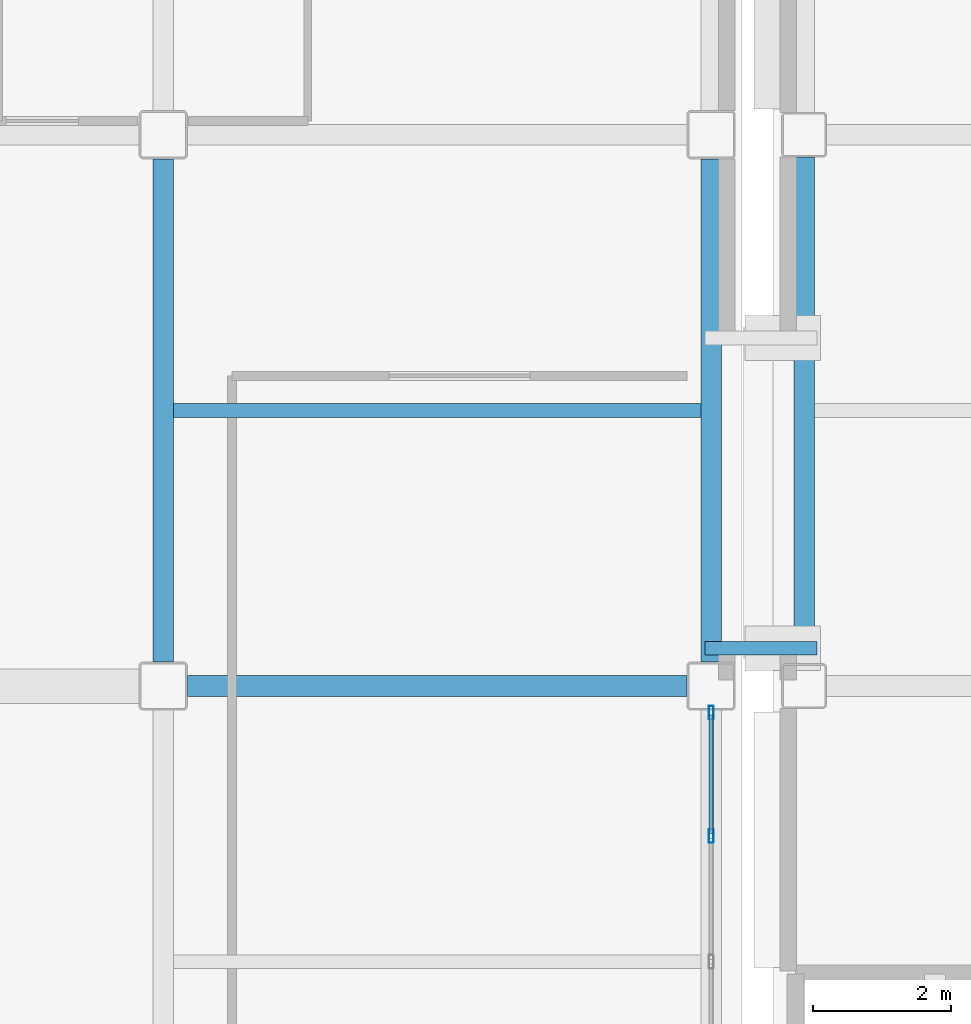
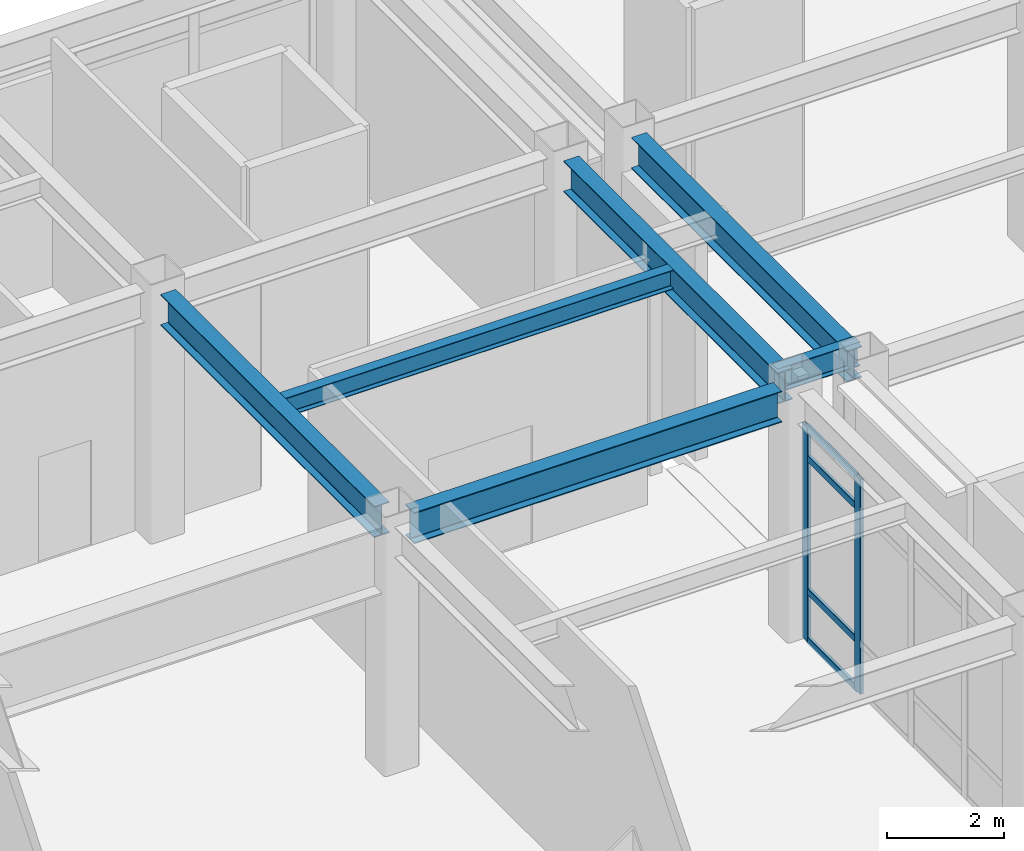
# One storey, part 19 of 165: 6 beams, 6 members, 1 element without a shape of its own.
"""IFC4 building model written with IfcOpenShell, lengths in metres."""

import ifcopenshell
import ifcopenshell.guid

model = None  # the IFC model being written
_history = None  # IfcOwnerHistory: only IFC2X3 demands one
_inside = {}  # id of a spatial element -> (the spatial element, [elements in it])
_under = {}  # id of a project, library or spatial element -> (it, [spatial elements below it])
_declared = {}  # id of a project -> (the project, [libraries it declares])
_typed = {}  # id of a type object -> (the type object, [elements of that type])
_made_of = {}  # id of a material, layer set ... -> (it, [elements and type objects made of it])


def new_model(schema):
    """Start an empty IFC model of exactly this schema.

    Asked for "IFC4X3", IfcOpenShell would pick the latest addendum, in which some entities
    have other attributes; the version numbers below select the first issue.
    IFC2X3 requires an IfcOwnerHistory on every rooted entity: one is made here for all.
    """
    global model, _history
    if schema == "IFC4X3":
        model = ifcopenshell.file(schema_version=(4, 3, 0, 0))
    else:
        model = ifcopenshell.file(schema=schema)
    _inside.clear()
    _under.clear()
    _declared.clear()
    _typed.clear()
    _made_of.clear()
    _history = None
    if model.schema == "IFC2X3":
        org = make("IfcOrganization", Name="unknown")
        user = make(
            "IfcPersonAndOrganization",
            ThePerson=make("IfcPerson", FamilyName="unknown"),
            TheOrganization=org,
        )
        app = make(
            "IfcApplication",
            ApplicationDeveloper=org,
            Version="unknown",
            ApplicationFullName="unknown",
            ApplicationIdentifier="unknown",
        )
        _history = make(
            "IfcOwnerHistory",
            OwningUser=user,
            OwningApplication=app,
            ChangeAction="ADDED",
            CreationDate=0,
        )
    return model


def make(cls, **values):
    """One entity of the class cls with the attributes given. An attribute that is None is left unset."""
    return model.create_entity(
        cls, **{name: value for name, value in values.items() if value is not None}
    )


def rooted(cls, **values):
    """An entity with a GlobalId (a new one), such as an element, a storey or a relation."""
    return make(cls, GlobalId=ifcopenshell.guid.new(), OwnerHistory=_history, **values)


def si_unit(unit_type, name, prefix=None):
    """IfcSIUnit, for example si_unit("LENGTHUNIT", "METRE", prefix="MILLI")."""
    return make("IfcSIUnit", UnitType=unit_type, Prefix=prefix, Name=name)


def assignment(units):
    """IfcUnitAssignment: the units of a project."""
    return None if units is None else make("IfcUnitAssignment", Units=units)


def point(xyz):
    """IfcCartesianPoint."""
    return None if xyz is None else make("IfcCartesianPoint", Coordinates=xyz)


def direction(xyz):
    """IfcDirection."""
    return None if xyz is None else make("IfcDirection", DirectionRatios=xyz)


def frame(location, z_axis=None, x_axis=None):
    """IfcAxis2Placement3D, a coordinate frame: its origin and axes. An axis left out is left unset."""
    return make(
        "IfcAxis2Placement3D",
        Location=point(location),
        Axis=direction(z_axis),
        RefDirection=direction(x_axis),
    )


def frame_2d(location, x_axis=None):
    """IfcAxis2Placement2D, a coordinate frame in the plane: its origin and x axis."""
    return make(
        "IfcAxis2Placement2D", Location=point(location), RefDirection=direction(x_axis)
    )


def origin():
    """The frame at (0, 0, 0) with its axes left unset."""
    return frame((0.0, 0.0, 0.0))


def origin_2d():
    """The frame at (0, 0) in the plane with its x axis left unset."""
    return frame_2d((0.0, 0.0))


def place(relative_to, where):
    """IfcLocalPlacement: puts the frame where relative to a parent placement (None: the world)."""
    return make(
        "IfcLocalPlacement", PlacementRelTo=relative_to, RelativePlacement=where
    )


def context(
    kind, dimensions, precision=None, world=None, true_north=None, identifier=None
):
    """IfcGeometricRepresentationContext, for example the 3D "Model" context."""
    return make(
        "IfcGeometricRepresentationContext",
        ContextIdentifier=identifier,
        ContextType=kind,
        CoordinateSpaceDimension=dimensions,
        Precision=precision,
        WorldCoordinateSystem=world,
        TrueNorth=true_north,
    )


def subcontext(parent, identifier, kind, view, scale=None):
    """IfcGeometricRepresentationSubContext, for example "Body" below "Model"."""
    return make(
        "IfcGeometricRepresentationSubContext",
        ContextIdentifier=identifier,
        ContextType=kind,
        ParentContext=parent,
        TargetScale=scale,
        TargetView=view,
    )


def project(units=None, contexts=None):
    """IfcProject with its units and contexts."""
    return rooted(
        "IfcProject",
        Name="project",
        RepresentationContexts=contexts,
        UnitsInContext=assignment(units),
    )


def spatial(cls, under=None, at=None, **own):
    """A site, building, storey or space (cls), placed at a placement, below another one or the project."""
    s = rooted(cls, ObjectPlacement=at, **own)
    if under is not None:
        _under.setdefault(under.id(), (under, []))[1].append(s)
    return s


def profile(cls, at=None, kind="AREA", **sizes):
    """A parametric profile (cls). Its sizes go by their IFC names, for example OverallWidth=200.0."""
    return make(cls, ProfileType=kind, Position=at, **sizes)


def hollow_rectangle(**sizes):
    """IfcRectangleHollowProfileDef."""
    return profile("IfcRectangleHollowProfileDef", **sizes)


def i_section(**sizes):
    """IfcIShapeProfileDef."""
    return profile("IfcIShapeProfileDef", **sizes)


def extrude(swept, where, along, depth):
    """IfcExtrudedAreaSolid: the profile swept, set in the frame where, extruded along a direction by depth."""
    return make(
        "IfcExtrudedAreaSolid",
        SweptArea=swept,
        Position=where,
        ExtrudedDirection=direction(along),
        Depth=depth,
    )


def shape(context_of_items, identifier, shape_type, items):
    """IfcShapeRepresentation: the items that make up one representation, for example the "Body"."""
    return make(
        "IfcShapeRepresentation",
        ContextOfItems=context_of_items,
        RepresentationIdentifier=identifier,
        RepresentationType=shape_type,
        Items=items,
    )


def material(Name=None, Category=None):
    """IfcMaterial."""
    return make("IfcMaterial", Name=Name, Category=Category)


def layer(
    of_material, thickness, ventilated=None, Name=None, Category=None, Priority=None
):
    """IfcMaterialLayer: one layer of a wall or slab, of a material (None: an air gap)."""
    return make(
        "IfcMaterialLayer",
        Material=of_material,
        LayerThickness=thickness,
        IsVentilated=ventilated,
        Name=Name,
        Category=Category,
        Priority=Priority,
    )


def layer_set(layers, Name=None):
    """IfcMaterialLayerSet."""
    return make("IfcMaterialLayerSet", MaterialLayers=layers, LayerSetName=Name)


def material_profile(
    of_material, cross_section, Name=None, Category=None, Priority=None
):
    """IfcMaterialProfile: a cross section and its material."""
    return make(
        "IfcMaterialProfile",
        Name=Name,
        Material=of_material,
        Profile=cross_section,
        Priority=Priority,
        Category=Category,
    )


def profile_set(profiles, Name=None, composite=None):
    """IfcMaterialProfileSet."""
    return make(
        "IfcMaterialProfileSet",
        Name=Name,
        MaterialProfiles=profiles,
        CompositeProfile=composite,
    )


def made_of(thing, what):
    """Note that an element or type object is made of a material, layer set ...; save() writes the relation."""
    if what is not None:
        _made_of.setdefault(what.id(), (what, []))[1].append(thing)
    return thing


def type_object(cls, material=None, **own):
    """A type object (cls), such as IfcWallType, which elements share."""
    return made_of(rooted(cls, **own), material)


def element(
    cls,
    number,
    at=None,
    inside=None,
    cuts=None,
    type_object=None,
    material=None,
    context=None,
    identifier="Body",
    shape_type=None,
    held_by="IfcProductDefinitionShape",
    body=None,
    shapes=None,
    **own,
):
    """One element of the class cls, such as IfcWall. Its Tag is "e" and its number.

    at: its placement. inside: the storey or other place that contains it. cuts: it is an
    opening in that element (IfcRelVoidsElement). A single representation is given by context,
    identifier, shape_type and body (its items); several are given by shapes. held_by: the class
    of the entity that holds the representations. save() writes the other relations.
    """
    e = rooted(cls, Tag="e%d" % number, ObjectPlacement=at, **own)
    if body is not None:
        shapes = [shape(context, identifier, shape_type, body)]
    if shapes is not None:
        e.Representation = make(held_by, Representations=shapes)
    if inside is not None:
        _inside.setdefault(inside.id(), (inside, []))[1].append(e)
    if cuts is not None:
        rooted(
            "IfcRelVoidsElement", RelatingBuildingElement=cuts, RelatedOpeningElement=e
        )
    if type_object is not None:
        _typed.setdefault(type_object.id(), (type_object, []))[1].append(e)
    return made_of(e, material)


def aggregate(whole, parts):
    """IfcRelAggregates: a whole, such as a stair, and the parts it consists of."""
    return rooted("IfcRelAggregates", RelatingObject=whole, RelatedObjects=parts)


def save(model, path):
    """Write the relations noted so far, then the file.

    IfcRelAggregates (storeys below a building ...), IfcRelContainedInSpatialStructure (elements
    in a storey), IfcRelDefinesByType, IfcRelAssociatesMaterial and IfcRelDeclares: one each for
    every whole, place, type object, material and project.
    """
    for whole, parts in _under.values():
        aggregate(whole, parts)
    for where, things in _inside.values():
        rooted(
            "IfcRelContainedInSpatialStructure",
            RelatedElements=things,
            RelatingStructure=where,
        )
    for kind, things in _typed.values():
        rooted("IfcRelDefinesByType", RelatedObjects=things, RelatingType=kind)
    for what, things in _made_of.values():
        rooted("IfcRelAssociatesMaterial", RelatedObjects=things, RelatingMaterial=what)
    for by, libraries in _declared.values():
        rooted("IfcRelDeclares", RelatingContext=by, RelatedDefinitions=libraries)
    model.write(path)


model = new_model("IFC4")

# Units and contexts
model_context = context("Model", 3, precision=1e-05, world=origin(), true_north=direction((0.0, 1.0)))
body_context = subcontext(model_context, "Body", "Model", "MODEL_VIEW")
ifc_project = project(units=[si_unit("LENGTHUNIT", "METRE"), si_unit("AREAUNIT", "SQUARE_METRE"), si_unit("VOLUMEUNIT", "CUBIC_METRE"), si_unit("PLANEANGLEUNIT", "RADIAN"), si_unit("MASSUNIT", "GRAM", prefix="KILO")], contexts=[model_context])

# Site, building, storey
site_placement = place(None, origin())
site = spatial("IfcSite", under=ifc_project, at=site_placement, CompositionType="ELEMENT")
building_placement = place(site_placement, origin())
building = spatial("IfcBuilding", under=site, at=building_placement, Name="Kazehara Bluff Congress Hotel", CompositionType="ELEMENT")
storey_placement = place(building_placement, origin())
storey = spatial("IfcBuildingStorey", under=building, at=storey_placement, Name="L00", CompositionType="ELEMENT", Elevation=0.0)

# Curtain wall, members
ifc_material_1 = material(Name="Anodised aluminium", Category="aluminium")
ifc_layer = layer(ifc_material_1, 0.159912109375)
ifc_layer_set = layer_set([ifc_layer], Name="Anodised aluminium")
curtain_wall_type = type_object("IfcCurtainWallType", Name="TP-CW-32", PredefinedType="NOTDEFINED", material=ifc_layer_set)
curtain_wall_placement = place(storey_placement, origin())
curtain_wall = element("IfcCurtainWall", 1, at=curtain_wall_placement, inside=storey, type_object=curtain_wall_type, Name="L00 curtain wall CW-32 CW-V2-L00-X5835-1635", PredefinedType="NOTDEFINED")
ifc_material_2 = material(Name="Anodised aluminium", Category="aluminium")
ifc_material_profile_1 = material_profile(ifc_material_2, hollow_rectangle(XDim=0.070068359375, YDim=0.199951171875, WallThickness=0.0048828125, InnerFilletRadius=0.0048828125, OuterFilletRadius=0.010009765625, at=origin_2d()))
ifc_profile_set_1 = profile_set([ifc_material_profile_1], Name="Anodised aluminium")
member_type_1 = type_object("IfcMemberType", Name="TP-CWM-03", PredefinedType="MULLION", material=ifc_profile_set_1)
member_1_placement = place(storey_placement, frame((58.35009765625, 21.824951171875, 0.0), z_axis=(0.0, 0.0, 1.0), x_axis=(-1.0, 0.0, 0.0)))
member_1 = element("IfcMember", 2, at=member_1_placement, type_object=member_type_1, Name="CW-32 mullion 4", PredefinedType="MULLION", context=body_context, shape_type="SweptSolid", body=[
    extrude(hollow_rectangle(XDim=0.070068359375, YDim=0.199951171875, WallThickness=0.0048828125, InnerFilletRadius=0.0048828125, OuterFilletRadius=0.010009765625, at=origin_2d()), origin(), (0.0, 0.0, 1.0), 4.47509765625),
])
member_2_placement = place(storey_placement, frame((58.35009765625, 23.614990234375, 0.0), z_axis=(0.0, 0.0, 1.0), x_axis=(-1.0, 0.0, 0.0)))
member_2 = element("IfcMember", 3, at=member_2_placement, type_object=member_type_1, Name="CW-32 mullion 5", PredefinedType="MULLION", context=body_context, shape_type="SweptSolid", body=[
    extrude(hollow_rectangle(XDim=0.070068359375, YDim=0.199951171875, WallThickness=0.0048828125, InnerFilletRadius=0.0048828125, OuterFilletRadius=0.010009765625, at=origin_2d()), origin(), (0.0, 0.0, 1.0), 4.47509765625),
])
ifc_material_3 = material(Name="Anodised aluminium", Category="aluminium")
ifc_material_profile_2 = material_profile(ifc_material_3, hollow_rectangle(XDim=0.06494140625, YDim=0.139892578125, WallThickness=0.00390625, InnerFilletRadius=0.00390625, OuterFilletRadius=0.008056640625, at=origin_2d()))
ifc_profile_set_2 = profile_set([ifc_material_profile_2], Name="Anodised aluminium")
member_type_2 = type_object("IfcMemberType", Name="TP-CWT-02", PredefinedType="USERDEFINED", material=ifc_profile_set_2)
member_3_placement = place(storey_placement, frame((58.35009765625, 21.860107421875, 0.032470703125), z_axis=(0.0, 1.0, 0.0), x_axis=(-1.0, 0.0, 0.0)))
member_3 = element("IfcMember", 4, at=member_3_placement, type_object=member_type_2, Name="CW-32 transom 4.1", ObjectType="TRANSOM", PredefinedType="USERDEFINED", context=body_context, shape_type="SweptSolid", body=[
    extrude(hollow_rectangle(XDim=0.06494140625, YDim=0.139892578125, WallThickness=0.00390625, InnerFilletRadius=0.00390625, OuterFilletRadius=0.008056640625, at=origin_2d()), origin(), (0.0, 0.0, 1.0), 1.719970703125),
])
member_4_placement = place(storey_placement, frame((58.35009765625, 21.860107421875, 1.050048828125), z_axis=(0.0, 1.0, 0.0), x_axis=(-1.0, 0.0, 0.0)))
member_4 = element("IfcMember", 5, at=member_4_placement, type_object=member_type_2, Name="CW-32 transom 4.2", ObjectType="TRANSOM", PredefinedType="USERDEFINED", context=body_context, shape_type="SweptSolid", body=[
    extrude(hollow_rectangle(XDim=0.06494140625, YDim=0.139892578125, WallThickness=0.00390625, InnerFilletRadius=0.00390625, OuterFilletRadius=0.008056640625, at=origin_2d()), origin(), (0.0, 0.0, 1.0), 1.719970703125),
])
member_5_placement = place(storey_placement, frame((58.35009765625, 21.860107421875, 3.824951171875), z_axis=(0.0, 1.0, 0.0), x_axis=(-1.0, 0.0, 0.0)))
member_5 = element("IfcMember", 6, at=member_5_placement, type_object=member_type_2, Name="CW-32 transom 4.3", ObjectType="TRANSOM", PredefinedType="USERDEFINED", context=body_context, shape_type="SweptSolid", body=[
    extrude(hollow_rectangle(XDim=0.06494140625, YDim=0.139892578125, WallThickness=0.00390625, InnerFilletRadius=0.00390625, OuterFilletRadius=0.008056640625, at=origin_2d()), origin(), (0.0, 0.0, 1.0), 1.719970703125),
])
member_6_placement = place(storey_placement, frame((58.35009765625, 21.860107421875, 4.4423828125), z_axis=(0.0, 1.0, 0.0), x_axis=(-1.0, 0.0, 0.0)))
member_6 = element("IfcMember", 7, at=member_6_placement, type_object=member_type_2, Name="CW-32 transom 4.4", ObjectType="TRANSOM", PredefinedType="USERDEFINED", context=body_context, shape_type="SweptSolid", body=[
    extrude(hollow_rectangle(XDim=0.06494140625, YDim=0.139892578125, WallThickness=0.00390625, InnerFilletRadius=0.00390625, OuterFilletRadius=0.008056640625, at=origin_2d()), origin(), (0.0, 0.0, 1.0), 1.719970703125),
])
aggregate(curtain_wall, [member_1, member_2, member_3, member_4, member_5, member_6])

# Beams
ifc_material_4 = material(Name="Steel SN490B", Category="steel")
ifc_material_profile_3 = material_profile(ifc_material_4, i_section(OverallWidth=0.199951171875, OverallDepth=0.5, WebThickness=0.010009765625, FlangeThickness=0.01611328125, FilletRadius=0.012939453125, at=origin_2d()))
ifc_profile_set_3 = profile_set([ifc_material_profile_3], Name="Steel SN490B")
beam_type_1 = type_object("IfcBeamType", Name="TP-G-01", PredefinedType="BEAM", material=ifc_profile_set_3)
beam_1_placement = place(storey_placement, frame((58.260009765625, 24.550048828125, 4.89990234375), z_axis=(1.0, 0.0, 0.0), x_axis=(0.0, 1.0, 0.0)))
element("IfcBeam", 8, at=beam_1_placement, inside=storey, type_object=beam_type_1, Name="Bridge link beam BRG-24 L01-1", PredefinedType="BEAM", context=body_context, shape_type="SweptSolid", body=[
    extrude(i_section(OverallWidth=0.199951171875, OverallDepth=0.5, WebThickness=0.010009765625, FlangeThickness=0.01611328125, FilletRadius=0.012939453125, at=origin_2d()), origin(), (0.0, 0.0, 1.0), 1.6298828125),
])
ifc_material_5 = material(Name="Steel SN490B", Category="steel")
ifc_material_profile_4 = material_profile(ifc_material_5, i_section(OverallWidth=0.300048828125, OverallDepth=0.64990234375, WebThickness=0.011962890625, FlangeThickness=0.02001953125, FilletRadius=0.012939453125, at=origin_2d()))
ifc_profile_set_4 = profile_set([ifc_material_profile_4], Name="Steel SN490B")
beam_type_2 = type_object("IfcBeamType", Name="TP-G-03", PredefinedType="BEAM", material=ifc_profile_set_4)
for number, where, z_axis, x_axis, name in (
    (9, (50.39990234375, 24.35009765625, 4.824951171875), (0.0, 1.0, 0.0), (-1.0, 0.0, 0.0), "L00 girder G-03 63"),
    (10, (58.35009765625, 24.35009765625, 4.824951171875), (0.0, 1.0, 0.0), (-1.0, 0.0, 0.0), "L00 girder G-03 68"),
):
    element("IfcBeam", number, at=place(storey_placement, frame(where, z_axis=z_axis, x_axis=x_axis)), inside=storey, type_object=beam_type_2, Name=name, PredefinedType="BEAM", context=body_context, shape_type="SweptSolid", body=[
        extrude(i_section(OverallWidth=0.300048828125, OverallDepth=0.64990234375, WebThickness=0.011962890625, FlangeThickness=0.02001953125, FilletRadius=0.012939453125, at=origin_2d()), origin(), (0.0, 0.0, 1.0), 7.2998046875),
    ])
beam_2_placement = place(storey_placement, frame((50.75, 24.0, 4.824951171875), z_axis=(1.0, 0.0, 0.0), x_axis=(0.0, 1.0, 0.0)))
element("IfcBeam", 11, at=beam_2_placement, inside=storey, type_object=beam_type_2, Name="L00 girder G-03 87", PredefinedType="BEAM", context=body_context, shape_type="SweptSolid", body=[
    extrude(i_section(OverallWidth=0.300048828125, OverallDepth=0.64990234375, WebThickness=0.011962890625, FlangeThickness=0.02001953125, FilletRadius=0.012939453125, at=origin_2d()), origin(), (0.0, 0.0, 1.0), 7.25),
])
beam_3_placement = place(storey_placement, frame((59.699951171875, 24.324951171875, 4.824951171875), z_axis=(0.0, 1.0, 0.0), x_axis=(-1.0, 0.0, 0.0)))
element("IfcBeam", 12, at=beam_3_placement, inside=storey, type_object=beam_type_2, Name="L00 girder G-03 149", PredefinedType="BEAM", context=body_context, shape_type="SweptSolid", body=[
    extrude(i_section(OverallWidth=0.300048828125, OverallDepth=0.64990234375, WebThickness=0.011962890625, FlangeThickness=0.02001953125, FilletRadius=0.012939453125, at=origin_2d()), origin(), (0.0, 0.0, 1.0), 7.35009765625),
])
ifc_material_6 = material(Name="Steel SN400B", Category="steel")
ifc_material_profile_5 = material_profile(ifc_material_6, i_section(OverallWidth=0.199951171875, OverallDepth=0.39990234375, WebThickness=0.008056640625, FlangeThickness=0.012939453125, FilletRadius=0.012939453125, at=origin_2d()))
ifc_profile_set_5 = profile_set([ifc_material_profile_5], Name="Steel SN400B")
beam_type_3 = type_object("IfcBeamType", Name="TP-J-03", PredefinedType="JOIST", material=ifc_profile_set_5)
beam_4_placement = place(storey_placement, frame((50.550048828125, 28.0, 4.949951171875), z_axis=(1.0, 0.0, 0.0), x_axis=(0.0, 1.0, 0.0)))
element("IfcBeam", 13, at=beam_4_placement, inside=storey, type_object=beam_type_3, Name="L00 secondary joist J-03 11", PredefinedType="JOIST", context=body_context, shape_type="SweptSolid", body=[
    extrude(i_section(OverallWidth=0.199951171875, OverallDepth=0.39990234375, WebThickness=0.008056640625, FlangeThickness=0.012939453125, FilletRadius=0.012939453125, at=origin_2d()), origin(), (0.0, 0.0, 1.0), 7.64990234375),
])

save(model, "model.ifc")
